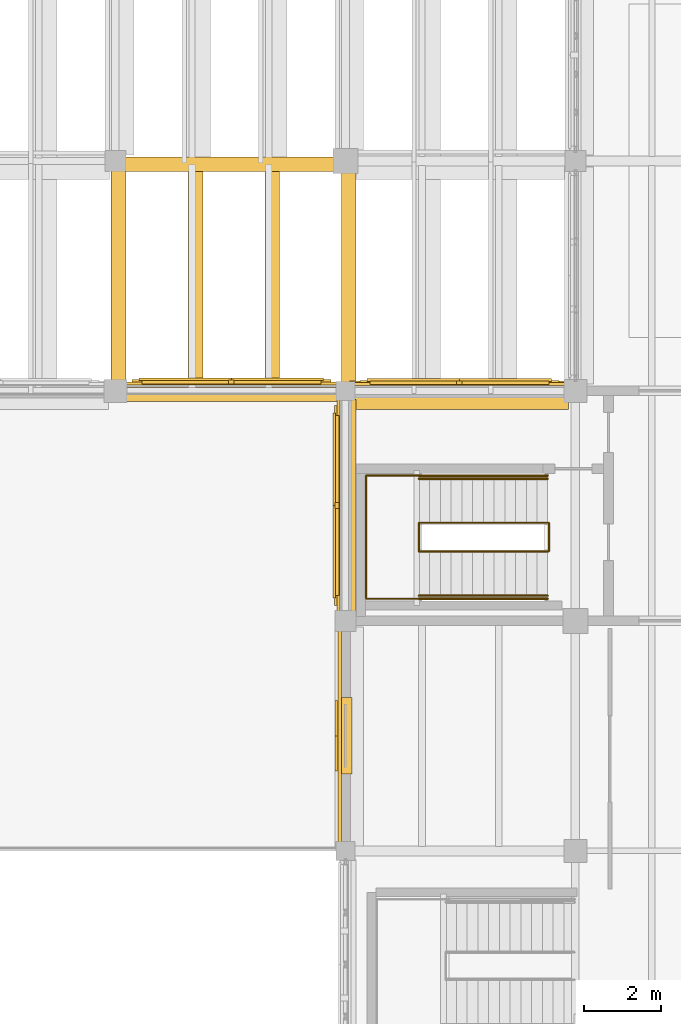
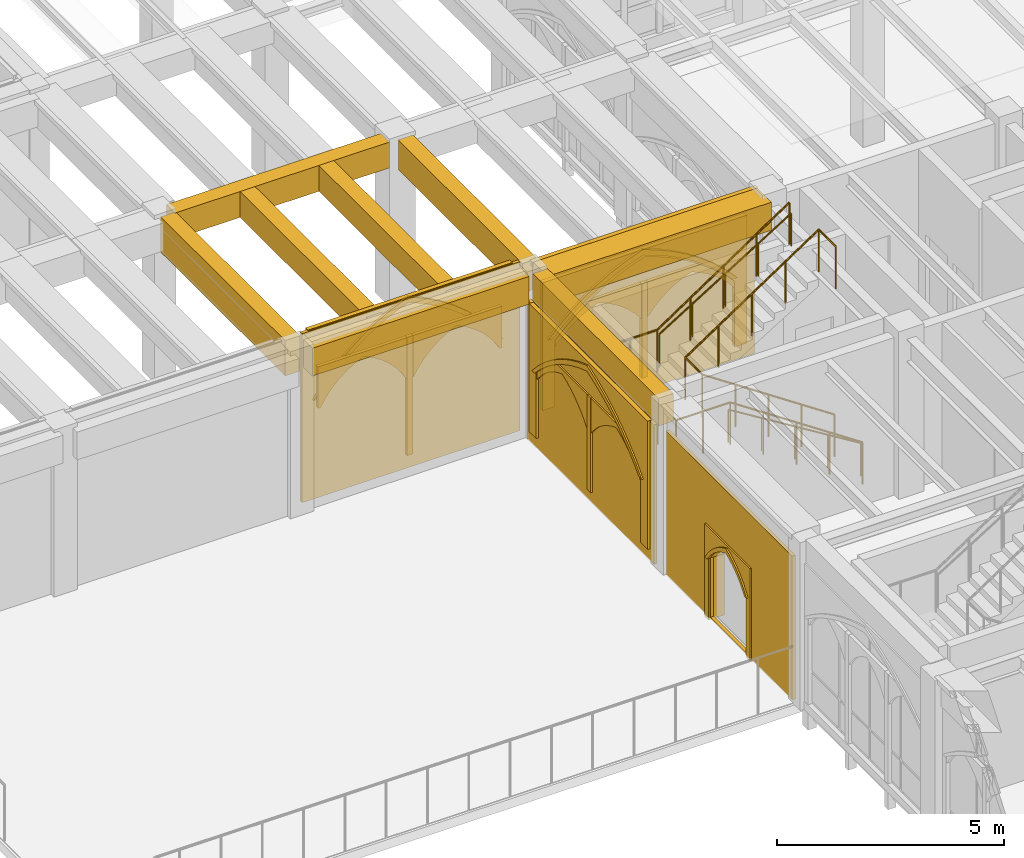
# One storey, part 102 of 127: 30 coverings, 6 railings.
"""IFC4 building model written with IfcOpenShell, lengths in metres."""

from ifc_helpers import new_model, si_unit, direction, frame, origin, origin_2d, place, context, subcontext, project, spatial, polyline, rectangle, circle, outline, extrude, material, type_object, element, save


model = new_model("IFC4")

# Units and contexts
model_context = context("Model", 3, precision=1e-05, world=origin(), true_north=direction((0.0, 1.0)))
body_context = subcontext(model_context, "Body", "Model", "MODEL_VIEW")
ifc_project = project(units=[si_unit("LENGTHUNIT", "METRE"), si_unit("AREAUNIT", "SQUARE_METRE"), si_unit("VOLUMEUNIT", "CUBIC_METRE"), si_unit("PLANEANGLEUNIT", "RADIAN"), si_unit("MASSUNIT", "GRAM", prefix="KILO")], contexts=[model_context])

# Site, building, storey
site_placement = place(None, origin())
site = spatial("IfcSite", under=ifc_project, at=site_placement, CompositionType="ELEMENT")
building_placement = place(site_placement, origin())
building = spatial("IfcBuilding", under=site, at=building_placement, Name="Cumevento Cable Car Station", CompositionType="ELEMENT")
storey_placement = place(building_placement, frame((0.0, 0.0, 4.5)))
storey = spatial("IfcBuildingStorey", under=building, at=storey_placement, Name="L02", CompositionType="ELEMENT", Elevation=4.5)

# Railings
ifc_material_1 = material(Name="Painted Galvanised Architectural Steel", Category="steel")
railing_type_1 = type_object("IfcRailingType", Name="Stair Guardrail GR-S115", PredefinedType="GUARDRAIL", material=ifc_material_1)
railing_1_placement = place(storey_placement, frame((63.280029296875, 40.81005859375, 0.0)))
element("IfcRailing", 1, at=railing_1_placement, inside=storey, type_object=railing_type_1, Name="Stair Well Inner Guardrail ST-01-L02", PredefinedType="GUARDRAIL", context=body_context, shape_type="SweptSolid", body=[
    extrude(circle(Radius=0.02392578125, at=origin_2d()), frame((0.0, 0.0, 1.1259765625), z_axis=(-0.830915400975, 0.0, 0.556398774641), x_axis=(0.0, -1.0, 0.0)), (0.0, 0.0, 1.0), 4.0439453125),
    extrude(circle(Radius=0.02392578125, at=origin_2d()), frame((-3.360107421875, 0.0, 3.3759765625), z_axis=(0.0, 1.0, 0.0), x_axis=(-1.0, 0.0, 0.0)), (0.0, 0.0, 1.0), 0.75),
    extrude(circle(Radius=0.02392578125, at=origin_2d()), frame((-3.360107421875, 0.75, 3.3759765625), z_axis=(0.833193183746, 0.0, 0.552982023722), x_axis=(0.0, 1.0, 0.0)), (0.0, 0.0, 1.0), 4.06884765625),
    extrude(circle(Radius=0.02392578125, at=origin_2d()), frame((0.030029296875, 0.75, 5.6259765625), z_axis=(0.0, -1.0, 0.0), x_axis=(1.0, 0.0, 0.0)), (0.0, 0.0, 1.0), 0.75),
    extrude(circle(Radius=0.02001953125, at=origin_2d()), origin(), (0.0, 0.0, 1.0), 1.101806640625),
    extrude(circle(Radius=0.02001953125, at=origin_2d()), frame((-0.840087890625, 0.0, 0.5625)), (0.0, 0.0, 1.0), 1.101806640625),
    extrude(circle(Radius=0.02001953125, at=origin_2d()), frame((-1.68017578125, 0.0, 1.125)), (0.0, 0.0, 1.0), 1.101806640625),
    extrude(circle(Radius=0.02001953125, at=origin_2d()), frame((-2.52001953125, 0.0, 1.6875)), (0.0, 0.0, 1.0), 1.101806640625),
    extrude(circle(Radius=0.02001953125, at=origin_2d()), frame((-3.360107421875, 0.0, 2.25)), (0.0, 0.0, 1.0), 1.101806640625),
    extrude(circle(Radius=0.02001953125, at=origin_2d()), frame((-3.360107421875, 0.75, 2.25)), (0.0, 0.0, 1.0), 1.101806640625),
    extrude(circle(Radius=0.02001953125, at=origin_2d()), frame((-2.5126953125, 0.75, 2.8125)), (0.0, 0.0, 1.0), 1.101806640625),
    extrude(circle(Radius=0.02001953125, at=origin_2d()), frame((-1.6650390625, 0.75, 3.375)), (0.0, 0.0, 1.0), 1.101806640625),
    extrude(circle(Radius=0.02001953125, at=origin_2d()), frame((-0.8173828125, 0.75, 3.9375)), (0.0, 0.0, 1.0), 1.101806640625),
    extrude(circle(Radius=0.02001953125, at=origin_2d()), frame((0.030029296875, 0.75, 4.5)), (0.0, 0.0, 1.0), 1.101806640625),
    extrude(circle(Radius=0.02001953125, at=origin_2d()), frame((0.030029296875, 0.0, 4.5)), (0.0, 0.0, 1.0), 1.101806640625),
])
railing_2_placement = place(storey_placement, frame((59.919921875, 39.580078125, 2.25)))
element("IfcRailing", 2, at=railing_2_placement, inside=storey, type_object=railing_type_1, Name="Stair Half-Landing Guardrail ST-01-L02", PredefinedType="GUARDRAIL", context=body_context, shape_type="SweptSolid", body=[
    extrude(circle(Radius=0.02392578125, at=origin_2d()), frame((0.0, 0.0, 1.1259765625), z_axis=(-1.0, 0.0, 0.0), x_axis=(0.0, -1.0, 0.0)), (0.0, 0.0, 1.0), 1.3798828125),
    extrude(circle(Radius=0.02392578125, at=origin_2d()), frame((-1.3798828125, 0.0, 1.1259765625), z_axis=(0.0, 1.0, 0.0), x_axis=(-1.0, 0.0, 0.0)), (0.0, 0.0, 1.0), 3.2099609375),
    extrude(circle(Radius=0.02392578125, at=origin_2d()), frame((-1.3798828125, 3.2099609375, 1.1259765625), z_axis=(1.0, 0.0, 0.0), x_axis=(0.0, 1.0, 0.0)), (0.0, 0.0, 1.0), 1.3798828125),
    extrude(circle(Radius=0.02001953125, at=origin_2d()), origin(), (0.0, 0.0, 1.0), 1.101806640625),
    extrude(circle(Radius=0.02001953125, at=origin_2d()), frame((-0.68994140625, 0.0, 0.0)), (0.0, 0.0, 1.0), 1.101806640625),
    extrude(circle(Radius=0.02001953125, at=origin_2d()), frame((-1.3798828125, 0.0, 0.0)), (0.0, 0.0, 1.0), 1.101806640625),
    extrude(circle(Radius=0.02001953125, at=origin_2d()), frame((-1.3798828125, 0.802490234375, 0.0)), (0.0, 0.0, 1.0), 1.101806640625),
    extrude(circle(Radius=0.02001953125, at=origin_2d()), frame((-1.3798828125, 1.60498046875, 0.0)), (0.0, 0.0, 1.0), 1.101806640625),
    extrude(circle(Radius=0.02001953125, at=origin_2d()), frame((-1.3798828125, 2.407470703125, 0.0)), (0.0, 0.0, 1.0), 1.101806640625),
    extrude(circle(Radius=0.02001953125, at=origin_2d()), frame((-1.3798828125, 3.2099609375, 0.0)), (0.0, 0.0, 1.0), 1.101806640625),
    extrude(circle(Radius=0.02001953125, at=origin_2d()), frame((-0.68994140625, 3.2099609375, 0.0)), (0.0, 0.0, 1.0), 1.101806640625),
    extrude(circle(Radius=0.02001953125, at=origin_2d()), frame((0.0, 3.2099609375, 0.0)), (0.0, 0.0, 1.0), 1.101806640625),
])
railing_3_placement = place(storey_placement, frame((63.280029296875, 39.580078125, 0.0)))
element("IfcRailing", 3, at=railing_3_placement, inside=storey, type_object=railing_type_1, Name="Stair Outer Guardrail ST-01-L02 F1", PredefinedType="GUARDRAIL", context=body_context, shape_type="SweptSolid", body=[
    extrude(circle(Radius=0.02392578125, at=origin_2d()), frame((0.0, 0.0, 1.1259765625), z_axis=(-0.830915400975, 0.0, 0.556398774641), x_axis=(0.0, -1.0, 0.0)), (0.0, 0.0, 1.0), 4.0439453125),
    extrude(circle(Radius=0.02001953125, at=origin_2d()), origin(), (0.0, 0.0, 1.0), 1.101806640625),
    extrude(circle(Radius=0.02001953125, at=origin_2d()), frame((-0.840087890625, 0.0, 0.5625)), (0.0, 0.0, 1.0), 1.101806640625),
    extrude(circle(Radius=0.02001953125, at=origin_2d()), frame((-1.68017578125, 0.0, 1.125)), (0.0, 0.0, 1.0), 1.101806640625),
    extrude(circle(Radius=0.02001953125, at=origin_2d()), frame((-2.52001953125, 0.0, 1.6875)), (0.0, 0.0, 1.0), 1.101806640625),
    extrude(circle(Radius=0.02001953125, at=origin_2d()), frame((-3.360107421875, 0.0, 2.25)), (0.0, 0.0, 1.0), 1.101806640625),
])
railing_4_placement = place(storey_placement, frame((59.919921875, 42.7900390625, 2.25)))
element("IfcRailing", 4, at=railing_4_placement, inside=storey, type_object=railing_type_1, Name="Stair Outer Guardrail ST-01-L02 F2", PredefinedType="GUARDRAIL", context=body_context, shape_type="SweptSolid", body=[
    extrude(circle(Radius=0.02392578125, at=origin_2d()), frame((0.0, 0.0, 1.1259765625), z_axis=(0.830915400975, 0.0, 0.556398774641), x_axis=(0.0, 1.0, 0.0)), (0.0, 0.0, 1.0), 4.0439453125),
    extrude(circle(Radius=0.02001953125, at=origin_2d()), origin(), (0.0, 0.0, 1.0), 1.101806640625),
    extrude(circle(Radius=0.02001953125, at=origin_2d()), frame((0.840087890625, 0.0, 0.5625)), (0.0, 0.0, 1.0), 1.101806640625),
    extrude(circle(Radius=0.02001953125, at=origin_2d()), frame((1.68017578125, 0.0, 1.125)), (0.0, 0.0, 1.0), 1.101806640625),
    extrude(circle(Radius=0.02001953125, at=origin_2d()), frame((2.52001953125, 0.0, 1.6875)), (0.0, 0.0, 1.0), 1.101806640625),
    extrude(circle(Radius=0.02001953125, at=origin_2d()), frame((3.360107421875, 0.0, 2.25)), (0.0, 0.0, 1.0), 1.101806640625),
])
ifc_material_2 = material(Name="Brushed Stainless Steel Handrail Tube", Category="steel")
railing_type_2 = type_object("IfcRailingType", Name="Stair Handrail HR-090", PredefinedType="HANDRAIL", material=ifc_material_2)
railing_5_placement = place(storey_placement, frame((63.280029296875, 39.659912109375, 0.17626953125)))
element("IfcRailing", 5, at=railing_5_placement, inside=storey, type_object=railing_type_2, Name="Stair Pitch Handrail ST-01-L02 F1", PredefinedType="HANDRAIL", context=body_context, shape_type="SweptSolid", body=[
    extrude(circle(Radius=0.02099609375, at=origin_2d()), frame((0.0, 0.0, 0.87890625), z_axis=(-0.850623216509, 0.0, 0.525775754039), x_axis=(0.0, -1.0, 0.0)), (0.0, 0.0, 1.0), 3.9501953125),
    extrude(circle(Radius=0.01611328125, at=origin_2d()), origin(), (0.0, 0.0, 1.0), 0.85791015625),
    extrude(circle(Radius=0.01611328125, at=origin_2d()), frame((-0.840087890625, 0.0, 0.519287109375)), (0.0, 0.0, 1.0), 0.85791015625),
    extrude(circle(Radius=0.01611328125, at=origin_2d()), frame((-1.68017578125, 0.0, 1.03857421875)), (0.0, 0.0, 1.0), 0.85791015625),
    extrude(circle(Radius=0.01611328125, at=origin_2d()), frame((-2.52001953125, 0.0, 1.5576171875)), (0.0, 0.0, 1.0), 0.85791015625),
    extrude(circle(Radius=0.01611328125, at=origin_2d()), frame((-3.360107421875, 0.0, 2.076904296875)), (0.0, 0.0, 1.0), 0.85791015625),
])
railing_6_placement = place(storey_placement, frame((59.919921875, 42.7099609375, 2.42626953125)))
element("IfcRailing", 6, at=railing_6_placement, inside=storey, type_object=railing_type_2, Name="Stair Pitch Handrail ST-01-L02 F2", PredefinedType="HANDRAIL", context=body_context, shape_type="SweptSolid", body=[
    extrude(circle(Radius=0.02099609375, at=origin_2d()), frame((0.0, 0.0, 0.87890625), z_axis=(0.850623216509, 0.0, 0.525775754039), x_axis=(0.0, 1.0, 0.0)), (0.0, 0.0, 1.0), 3.9501953125),
    extrude(circle(Radius=0.01611328125, at=origin_2d()), origin(), (0.0, 0.0, 1.0), 0.85791015625),
    extrude(circle(Radius=0.01611328125, at=origin_2d()), frame((0.840087890625, 0.0, 0.519287109375)), (0.0, 0.0, 1.0), 0.85791015625),
    extrude(circle(Radius=0.01611328125, at=origin_2d()), frame((1.68017578125, 0.0, 1.03857421875)), (0.0, 0.0, 1.0), 0.85791015625),
    extrude(circle(Radius=0.01611328125, at=origin_2d()), frame((2.52001953125, 0.0, 1.5576171875)), (0.0, 0.0, 1.0), 0.85791015625),
    extrude(circle(Radius=0.01611328125, at=origin_2d()), frame((3.360107421875, 0.0, 2.076904296875)), (0.0, 0.0, 1.0), 0.85791015625),
])

# Coverings
ifc_material_3 = material(Name="Gnaisse Facoidal Stone Ashlar 85 MPa", Category="masonry")
covering_type = type_object("IfcCoveringType", Name="Gnaisse Ashlar Cladding CV-CL01", PredefinedType="CLADDING", material=ifc_material_3)
covering_1_placement = place(storey_placement, frame((60.97509765625, 44.85009765625, 3.636962890625), z_axis=(0.0, 0.0, 1.0), x_axis=(1.0, 0.0, 0.0)))
element("IfcCovering", 7, at=covering_1_placement, inside=storey, type_object=covering_type, Name="Gothic Stone Spandrel Stringcourse sc:0328", PredefinedType="CLADDING", context=body_context, shape_type="SweptSolid", body=[
    extrude(rectangle(XDim=5.68994140625, YDim=0.659912109375, at=origin_2d()), origin(), (0.0, 0.0, 1.0), 0.7529296875),
])
covering_2_placement = place(storey_placement, frame((60.97509765625, 45.20751953125, 4.260009765625), z_axis=(0.0, 0.0, 1.0), x_axis=(1.0, 0.0, 0.0)))
element("IfcCovering", 8, at=covering_2_placement, inside=storey, type_object=covering_type, Name="Gothic Cornice Dripstone Lip sc:0328", PredefinedType="CLADDING", context=body_context, shape_type="SweptSolid", body=[
    extrude(rectangle(XDim=5.72998046875, YDim=0.114990234375, at=origin_2d()), origin(), (0.0, 0.0, 1.0), 0.1298828125),
])
covering_3_placement = place(storey_placement, frame((58.090087890625, 42.012451171875, 3.64306640625), z_axis=(0.0, 0.0, 1.0), x_axis=(0.0, 1.0, 0.0)))
element("IfcCovering", 9, at=covering_3_placement, inside=storey, type_object=covering_type, Name="Gothic Stone Spandrel Stringcourse sc:0329", PredefinedType="CLADDING", context=body_context, shape_type="SweptSolid", body=[
    extrude(rectangle(XDim=5.534912109375, YDim=0.3798828125, at=origin_2d()), origin(), (0.0, 0.0, 1.0), 0.7470703125),
])
covering_4_placement = place(storey_placement, frame((52.090087890625, 48.012451171875, 3.44189453125), z_axis=(0.0, 0.0, 1.0), x_axis=(0.0, 1.0, 0.0)))
element("IfcCovering", 10, at=covering_4_placement, inside=storey, type_object=covering_type, Name="Gothic Stone Spandrel Stringcourse sc:0375", PredefinedType="CLADDING", context=body_context, shape_type="SweptSolid", body=[
    extrude(rectangle(XDim=5.485107421875, YDim=0.3798828125, at=origin_2d()), origin(), (0.0, 0.0, 1.0), 0.947998046875),
])
covering_5_placement = place(storey_placement, frame((55.02490234375, 44.909912109375, 3.64306640625), z_axis=(0.0, 0.0, 1.0), x_axis=(1.0, 0.0, 0.0)))
element("IfcCovering", 11, at=covering_5_placement, inside=storey, type_object=covering_type, Name="Gothic Stone Spandrel Stringcourse sc:0383", PredefinedType="CLADDING", context=body_context, shape_type="SweptSolid", body=[
    extrude(rectangle(XDim=5.510009765625, YDim=0.3798828125, at=origin_2d()), origin(), (0.0, 0.0, 1.0), 0.7470703125),
])
covering_6_placement = place(storey_placement, frame((54.97509765625, 50.909912109375, 3.69580078125), z_axis=(0.0, 0.0, 1.0), x_axis=(1.0, 0.0, 0.0)))
element("IfcCovering", 12, at=covering_6_placement, inside=storey, type_object=covering_type, Name="Gothic Stone Spandrel Stringcourse sc:0384", PredefinedType="CLADDING", context=body_context, shape_type="SweptSolid", body=[
    extrude(rectangle(XDim=5.4599609375, YDim=0.3798828125, at=origin_2d()), origin(), (0.0, 0.0, 1.0), 0.694091796875),
])
covering_7_placement = place(storey_placement, frame((58.090087890625, 47.96240234375, 3.5927734375), z_axis=(0.0, 0.0, 1.0), x_axis=(0.0, 1.0, 0.0)))
element("IfcCovering", 13, at=covering_7_placement, inside=storey, type_object=covering_type, Name="Gothic Stone Spandrel Stringcourse sc:0388", PredefinedType="CLADDING", context=body_context, shape_type="SweptSolid", body=[
    extrude(rectangle(XDim=5.485107421875, YDim=0.3798828125, at=origin_2d()), origin(), (0.0, 0.0, 1.0), 0.797119140625),
])
for number, where, z_axis, x_axis, name in (
    (14, (54.090087890625, 47.9931640625, 3.69482421875), (0.0, 0.0, 1.0), (0.0, 1.0, 0.0), "Gothic Stone Spandrel Stringcourse sc:0512"),
    (15, (56.090087890625, 47.9931640625, 3.69482421875), (0.0, 0.0, 1.0), (0.0, 1.0, 0.0), "Gothic Stone Spandrel Stringcourse sc:0514"),
):
    element("IfcCovering", number, at=place(storey_placement, frame(where, z_axis=z_axis, x_axis=x_axis)), inside=storey, type_object=covering_type, Name=name, PredefinedType="CLADDING", context=body_context, shape_type="SweptSolid", body=[
        extrude(rectangle(XDim=5.892578125, YDim=0.3798828125, at=origin_2d()), origin(), (0.0, 0.0, 1.0), 0.695068359375),
    ])
covering_8_placement = place(storey_placement, frame((52.300048828125, 45.0, 0.0), z_axis=(0.0, 0.0, 1.0), x_axis=(1.0, 0.0, 0.0)))
element("IfcCovering", 16, at=covering_8_placement, inside=storey, type_object=covering_type, Name="Exterior Gnaisse Stone Wall Ashlar #32", PredefinedType="CLADDING", context=body_context, shape_type="SweptSolid", body=[
    extrude(outline(polyline([(-0.0400390625, -0.02001953125), (5.489990234375, -0.02001953125), (5.489990234375, 4.52001953125), (-0.0400390625, 4.52001953125), (-0.0400390625, -0.02001953125)])), frame((0.0, 0.237548828125, 0.0), z_axis=(0.0, -1.0, 0.0), x_axis=(1.0, 0.0, 0.0)), (0.0, 0.0, 1.0), 0.0849609375),
])
placement_1 = place(storey_placement, frame((52.47998046875, 45.0, 0.300048828125), z_axis=(0.0, 0.0, 1.0), x_axis=(1.0, 0.0, 0.0)))
element("IfcCovering", 17, at=placement_1, inside=storey, type_object=covering_type, Name="Gothic Ogival Pointed-Arch Stone Spandrel blind_ogival:0032", PredefinedType="CLADDING", context=body_context, shape_type="SweptSolid", body=[
    extrude(outline(polyline([(-0.050048828125, 0.0), (-0.050048828125, 4.239990234375), (5.139892578125, 4.239990234375), (5.139892578125, 0.0), (4.830078125, 0.0), (4.830078125, 2.219970703125), (4.577880859375, 2.558349609375), (4.297119140625, 2.873291015625), (3.98974609375, 3.16259765625), (3.658203125, 3.423583984375), (3.30517578125, 3.65478515625), (2.93310546875, 3.85400390625), (2.544921875, 4.02001953125), (2.156982421875, 3.85400390625), (1.784912109375, 3.65478515625), (1.431884765625, 3.423583984375), (1.100341796875, 3.16259765625), (0.79296875, 2.873291015625), (0.51220703125, 2.558349609375), (0.260009765625, 2.219970703125), (0.260009765625, 0.0), (-0.050048828125, 0.0)])), frame((0.0, 0.29248046875, 0.0), z_axis=(0.0, -1.0, 0.0), x_axis=(1.0, 0.0, 0.0)), (0.0, 0.0, 1.0), 0.110107421875),
])
covering_10_placement = place(storey_placement, frame((52.47998046875, 45.0, 2.52001953125), z_axis=(0.0, 0.0, 1.0), x_axis=(1.0, 0.0, 0.0)))
element("IfcCovering", 18, at=covering_10_placement, inside=storey, type_object=covering_type, Name="Gothic Pointed Archivolt Hood Moulding blind_ogival:0032", PredefinedType="CLADDING", context=body_context, shape_type="SweptSolid", body=[
    extrude(outline(polyline([(0.260009765625, 0.0), (0.51220703125, 0.33837890625), (0.79296875, 0.6533203125), (1.100341796875, 0.942626953125), (1.431884765625, 1.20361328125), (1.784912109375, 1.434814453125), (2.156982421875, 1.634033203125), (2.544921875, 1.800048828125), (2.93310546875, 1.634033203125), (3.30517578125, 1.434814453125), (3.658203125, 1.20361328125), (3.98974609375, 0.942626953125), (4.297119140625, 0.6533203125), (4.577880859375, 0.33837890625), (4.830078125, 0.0), (4.950927734375, 0.0), (4.689453125, 0.36572265625), (4.396240234375, 0.706787109375), (4.07373046875, 1.020263671875), (3.724365234375, 1.303466796875), (3.351318359375, 1.554443359375), (2.95703125, 1.770751953125), (2.544921875, 1.951171875), (2.133056640625, 1.770751953125), (1.73876953125, 1.554443359375), (1.36572265625, 1.303466796875), (1.016357421875, 1.020263671875), (0.69384765625, 0.706787109375), (0.400634765625, 0.36572265625), (0.138916015625, 0.0), (0.260009765625, 0.0)])), frame((0.0, 0.33447265625, 0.0), z_axis=(0.0, -1.0, 0.0), x_axis=(1.0, 0.0, 0.0)), (0.0, 0.0, 1.0), 0.06689453125),
])
element("IfcCovering", 19, at=placement_1, inside=storey, type_object=covering_type, Name="Gothic Bifora Stone Colonnette blind_ogival:0032 #1", PredefinedType="CLADDING", context=body_context, shape_type="SweptSolid", body=[
    extrude(outline(polyline([(2.469970703125, -0.02001953125), (2.6201171875, -0.02001953125), (2.6201171875, 3.156005859375), (2.469970703125, 3.156005859375), (2.469970703125, -0.02001953125)])), frame((0.0, 0.280517578125, 0.0), z_axis=(0.0, -1.0, 0.0), x_axis=(1.0, 0.0, 0.0)), (0.0, 0.0, 1.0), 0.094970703125),
])
for number, where, z_axis, x_axis, name in (
    (20, (52.7099609375, 45.0, 2.340087890625), (0.0, 0.0, 1.0), (1.0, 0.0, 0.0), "Gothic Ogival Pointed-Arch Stone Spandrel blind_ogival:0032:sub:0"),
    (21, (55.070068359375, 45.0, 2.340087890625), (0.0, 0.0, 1.0), (1.0, 0.0, 0.0), "Gothic Ogival Pointed-Arch Stone Spandrel blind_ogival:0032:sub:1"),
):
    element("IfcCovering", number, at=place(storey_placement, frame(where, z_axis=z_axis, x_axis=x_axis)), inside=storey, type_object=covering_type, Name=name, PredefinedType="CLADDING", context=body_context, shape_type="SweptSolid", body=[
        extrude(outline(polyline([(-0.02001953125, 0.0), (-0.02001953125, 1.115966796875), (2.2900390625, 1.115966796875), (2.2900390625, 0.0), (2.22998046875, 0.0), (2.0986328125, 0.21435546875), (1.944091796875, 0.412353515625), (1.767822265625, 0.591796875), (1.57275390625, 0.750244140625), (1.36083984375, 0.885498046875), (1.135009765625, 0.99609375), (0.9091796875, 0.885498046875), (0.697265625, 0.750244140625), (0.502197265625, 0.591796875), (0.325927734375, 0.412353515625), (0.17138671875, 0.21435546875), (0.0400390625, 0.0), (-0.02001953125, 0.0)])), frame((0.0, 0.276611328125, 0.0), z_axis=(0.0, -1.0, 0.0), x_axis=(1.0, 0.0, 0.0)), (0.0, 0.0, 1.0), 0.090087890625),
    ])
covering_12_placement = place(storey_placement, frame((58.0, 33.25, 0.0), z_axis=(0.0, 0.0, 1.0), x_axis=(0.0, 1.0, 0.0)))
element("IfcCovering", 22, at=covering_12_placement, inside=storey, type_object=covering_type, Name="Exterior Gnaisse Stone Wall Ashlar #185", PredefinedType="CLADDING", context=body_context, shape_type="SweptSolid", body=[
    extrude(outline(polyline([(-0.0400390625, -0.02001953125), (5.514892578125, -0.02001953125), (5.514892578125, 3.841064453125), (-0.0400390625, 3.841064453125), (-0.0400390625, -0.02001953125)]), holes=[polyline([(1.93994140625, 0.02001953125), (3.56005859375, 0.02001953125), (3.56005859375, 2.2099609375), (1.93994140625, 2.2099609375), (1.93994140625, 0.02001953125)])]), frame((0.0, 0.18505859375, 0.0), z_axis=(0.0, -1.0, 0.0), x_axis=(1.0, 0.0, 0.0)), (0.0, 0.0, 1.0), 0.0849609375),
])
covering_13_placement = place(storey_placement, frame((58.0, 35.0400390625, -0.050048828125), z_axis=(0.0, 0.0, 1.0), x_axis=(0.0, 1.0, 0.0)))
element("IfcCovering", 23, at=covering_13_placement, inside=storey, type_object=covering_type, Name="Gothic Ogival Pointed-Arch Stone Spandrel op_ogival:0185:1", PredefinedType="CLADDING", context=body_context, shape_type="SweptSolid", body=[
    extrude(outline(polyline([(-0.0400390625, 0.0), (-0.0400390625, 2.489990234375), (1.9599609375, 2.489990234375), (1.9599609375, 0.0), (1.780029296875, 0.0), (1.780029296875, 1.6484375), (1.6904296875, 1.7724609375), (1.59033203125, 1.88818359375), (1.48046875, 1.994384765625), (1.361328125, 2.090576171875), (1.234375, 2.175537109375), (1.10009765625, 2.2490234375), (0.9599609375, 2.31005859375), (0.81982421875, 2.2490234375), (0.685546875, 2.175537109375), (0.55859375, 2.090576171875), (0.439453125, 1.994384765625), (0.32958984375, 1.88818359375), (0.2294921875, 1.7724609375), (0.139892578125, 1.6484375), (0.139892578125, 0.0), (-0.0400390625, 0.0)])), frame((0.0, 0.222900390625, 0.0), z_axis=(0.0, -1.0, 0.0), x_axis=(1.0, 0.0, 0.0)), (0.0, 0.0, 1.0), 0.39990234375),
])
covering_14_placement = place(storey_placement, frame((58.0, 35.0400390625, 1.598388671875), z_axis=(0.0, 0.0, 1.0), x_axis=(0.0, 1.0, 0.0)))
element("IfcCovering", 24, at=covering_14_placement, inside=storey, type_object=covering_type, Name="Gothic Pointed Archivolt Hood Moulding op_ogival:0185:1", PredefinedType="CLADDING", context=body_context, shape_type="SweptSolid", body=[
    extrude(outline(polyline([(0.139892578125, 0.0), (0.2294921875, 0.1240234375), (0.32958984375, 0.23974609375), (0.439453125, 0.345947265625), (0.55859375, 0.442138671875), (0.685546875, 0.527099609375), (0.81982421875, 0.6005859375), (0.9599609375, 0.66162109375), (1.10009765625, 0.6005859375), (1.234375, 0.527099609375), (1.361328125, 0.442138671875), (1.48046875, 0.345947265625), (1.59033203125, 0.23974609375), (1.6904296875, 0.1240234375), (1.780029296875, 0.0), (1.87890625, 0.0), (1.781982421875, 0.146484375), (1.671630859375, 0.283447265625), (1.54931640625, 0.409423828125), (1.415771484375, 0.523681640625), (1.272216796875, 0.624755859375), (1.119873046875, 0.71240234375), (0.9599609375, 0.785400390625), (0.800048828125, 0.71240234375), (0.647705078125, 0.624755859375), (0.504150390625, 0.523681640625), (0.37060546875, 0.409423828125), (0.248291015625, 0.283447265625), (0.137939453125, 0.146484375), (0.041015625, 0.0), (0.139892578125, 0.0)])), frame((0.0, 0.264892578125, 0.0), z_axis=(0.0, -1.0, 0.0), x_axis=(1.0, 0.0, 0.0)), (0.0, 0.0, 1.0), 0.06689453125),
])
covering_15_placement = place(storey_placement, frame((58.25, 45.0, 0.0), z_axis=(0.0, 0.0, 1.0), x_axis=(1.0, 0.0, 0.0)))
element("IfcCovering", 25, at=covering_15_placement, inside=storey, type_object=covering_type, Name="Exterior Gnaisse Stone Wall Ashlar #186", PredefinedType="CLADDING", context=body_context, shape_type="SweptSolid", body=[
    extrude(outline(polyline([(-0.0400390625, -0.02001953125), (5.489990234375, -0.02001953125), (5.489990234375, 3.717041015625), (-0.0400390625, 3.717041015625), (-0.0400390625, -0.02001953125)])), frame((0.0, 0.222412109375, 0.0), z_axis=(0.0, -1.0, 0.0), x_axis=(1.0, 0.0, 0.0)), (0.0, 0.0, 1.0), 0.0849609375),
])
placement_2 = place(storey_placement, frame((58.429931640625, 45.0, 0.300048828125), z_axis=(0.0, 0.0, 1.0), x_axis=(1.0, 0.0, 0.0)))
element("IfcCovering", 26, at=placement_2, inside=storey, type_object=covering_type, Name="Gothic Ogival Pointed-Arch Stone Spandrel blind_ogival:0186", PredefinedType="CLADDING", context=body_context, shape_type="SweptSolid", body=[
    extrude(outline(polyline([(-0.050048828125, 0.0), (-0.050048828125, 3.43701171875), (5.139892578125, 3.43701171875), (5.139892578125, 0.0), (4.830078125, 0.0), (4.830078125, 1.770263671875), (4.55419921875, 2.046875), (4.2587890625, 2.302490234375), (3.945068359375, 2.53515625), (3.614990234375, 2.744140625), (3.2705078125, 2.92822265625), (2.9130859375, 3.0859375), (2.544921875, 3.217041015625), (2.177001953125, 3.0859375), (1.819580078125, 2.92822265625), (1.47509765625, 2.744140625), (1.14501953125, 2.53515625), (0.831298828125, 2.302490234375), (0.535888671875, 2.046875), (0.260009765625, 1.770263671875), (0.260009765625, 0.0), (-0.050048828125, 0.0)])), frame((0.0, 0.277587890625, 0.0), z_axis=(0.0, -1.0, 0.0), x_axis=(1.0, 0.0, 0.0)), (0.0, 0.0, 1.0), 0.110107421875),
])
covering_17_placement = place(storey_placement, frame((58.429931640625, 45.0, 2.0703125), z_axis=(0.0, 0.0, 1.0), x_axis=(1.0, 0.0, 0.0)))
element("IfcCovering", 27, at=covering_17_placement, inside=storey, type_object=covering_type, Name="Gothic Pointed Archivolt Hood Moulding blind_ogival:0186", PredefinedType="CLADDING", context=body_context, shape_type="SweptSolid", body=[
    extrude(outline(polyline([(0.260009765625, 0.0), (0.535888671875, 0.276611328125), (0.831298828125, 0.5322265625), (1.14501953125, 0.764892578125), (1.47509765625, 0.973876953125), (1.819580078125, 1.157958984375), (2.177001953125, 1.315673828125), (2.544921875, 1.44677734375), (2.9130859375, 1.315673828125), (3.2705078125, 1.157958984375), (3.614990234375, 0.973876953125), (3.945068359375, 0.764892578125), (4.2587890625, 0.5322265625), (4.55419921875, 0.276611328125), (4.830078125, 0.0), (4.950927734375, 0.0), (4.66552734375, 0.304443359375), (4.357177734375, 0.586181640625), (4.028076171875, 0.84326171875), (3.680419921875, 1.07421875), (3.315673828125, 1.27783203125), (2.9365234375, 1.452880859375), (2.544921875, 1.597900390625), (2.153564453125, 1.452880859375), (1.7744140625, 1.27783203125), (1.40966796875, 1.07421875), (1.06201171875, 0.84326171875), (0.73291015625, 0.586181640625), (0.424560546875, 0.304443359375), (0.138916015625, 0.0), (0.260009765625, 0.0)])), frame((0.0, 0.319580078125, 0.0), z_axis=(0.0, -1.0, 0.0), x_axis=(1.0, 0.0, 0.0)), (0.0, 0.0, 1.0), 0.06689453125),
])
element("IfcCovering", 28, at=placement_2, inside=storey, type_object=covering_type, Name="Gothic Bifora Stone Colonnette blind_ogival:0186 #1", PredefinedType="CLADDING", context=body_context, shape_type="SweptSolid", body=[
    extrude(outline(polyline([(2.469970703125, -0.02001953125), (2.6201171875, -0.02001953125), (2.6201171875, 2.522705078125), (2.469970703125, 2.522705078125), (2.469970703125, -0.02001953125)])), frame((0.0, 0.265380859375, 0.0), z_axis=(0.0, -1.0, 0.0), x_axis=(1.0, 0.0, 0.0)), (0.0, 0.0, 1.0), 0.094970703125),
])
for number, where, z_axis, x_axis, name in (
    (29, (58.659912109375, 45.0, 1.890380859375), (0.0, 0.0, 1.0), (1.0, 0.0, 0.0), "Gothic Ogival Pointed-Arch Stone Spandrel blind_ogival:0186:sub:0"),
    (30, (61.02001953125, 45.0, 1.890380859375), (0.0, 0.0, 1.0), (1.0, 0.0, 0.0), "Gothic Ogival Pointed-Arch Stone Spandrel blind_ogival:0186:sub:1"),
):
    element("IfcCovering", number, at=place(storey_placement, frame(where, z_axis=z_axis, x_axis=x_axis)), inside=storey, type_object=covering_type, Name=name, PredefinedType="CLADDING", context=body_context, shape_type="SweptSolid", body=[
        extrude(outline(polyline([(-0.02001953125, 0.0), (-0.02001953125, 0.932373046875), (2.2900390625, 0.932373046875), (2.2900390625, 0.0), (2.22998046875, 0.0), (2.083740234375, 0.177978515625), (1.920654296875, 0.3408203125), (1.74267578125, 0.487060546875), (1.551025390625, 0.615234375), (1.347900390625, 0.723876953125), (1.135009765625, 0.812255859375), (0.922119140625, 0.723876953125), (0.718994140625, 0.615234375), (0.52734375, 0.487060546875), (0.349365234375, 0.3408203125), (0.186279296875, 0.177978515625), (0.0400390625, 0.0), (-0.02001953125, 0.0)])), frame((0.0, 0.261474609375, 0.0), z_axis=(0.0, -1.0, 0.0), x_axis=(1.0, 0.0, 0.0)), (0.0, 0.0, 1.0), 0.090087890625),
    ])
covering_19_placement = place(storey_placement, frame((58.0, 39.27490234375, 0.0), z_axis=(0.0, 0.0, 1.0), x_axis=(0.0, 1.0, 0.0)))
element("IfcCovering", 31, at=covering_19_placement, inside=storey, type_object=covering_type, Name="Exterior Gnaisse Stone Wall Ashlar #187", PredefinedType="CLADDING", context=body_context, shape_type="SweptSolid", body=[
    extrude(outline(polyline([(-0.0400390625, -0.02001953125), (5.514892578125, -0.02001953125), (5.514892578125, 3.722900390625), (-0.0400390625, 3.722900390625), (-0.0400390625, -0.02001953125)])), frame((0.0, 0.222412109375, 0.0), z_axis=(0.0, -1.0, 0.0), x_axis=(1.0, 0.0, 0.0)), (0.0, 0.0, 1.0), 0.0849609375),
])
placement_3 = place(storey_placement, frame((58.0, 39.455078125, 0.300048828125), z_axis=(0.0, 0.0, 1.0), x_axis=(0.0, 1.0, 0.0)))
element("IfcCovering", 32, at=placement_3, inside=storey, type_object=covering_type, Name="Gothic Ogival Pointed-Arch Stone Spandrel blind_ogival:0187", PredefinedType="CLADDING", context=body_context, shape_type="SweptSolid", body=[
    extrude(outline(polyline([(-0.050048828125, 0.0), (-0.050048828125, 3.443115234375), (5.1650390625, 3.443115234375), (5.1650390625, 0.0), (4.85498046875, 0.0), (4.85498046875, 1.773681640625), (4.577392578125, 2.051025390625), (4.280029296875, 2.306884765625), (3.964599609375, 2.5400390625), (3.6328125, 2.74951171875), (3.286376953125, 2.93359375), (2.92724609375, 3.091796875), (2.5576171875, 3.222900390625), (2.187744140625, 3.091796875), (1.82861328125, 2.93359375), (1.482177734375, 2.74951171875), (1.150390625, 2.5400390625), (0.8349609375, 2.306884765625), (0.53759765625, 2.051025390625), (0.260009765625, 1.773681640625), (0.260009765625, 0.0), (-0.050048828125, 0.0)])), frame((0.0, 0.277587890625, 0.0), z_axis=(0.0, -1.0, 0.0), x_axis=(1.0, 0.0, 0.0)), (0.0, 0.0, 1.0), 0.110107421875),
])
covering_21_placement = place(storey_placement, frame((58.0, 39.455078125, 2.07373046875), z_axis=(0.0, 0.0, 1.0), x_axis=(0.0, 1.0, 0.0)))
element("IfcCovering", 33, at=covering_21_placement, inside=storey, type_object=covering_type, Name="Gothic Pointed Archivolt Hood Moulding blind_ogival:0187", PredefinedType="CLADDING", context=body_context, shape_type="SweptSolid", body=[
    extrude(outline(polyline([(0.260009765625, 0.0), (0.53759765625, 0.27734375), (0.8349609375, 0.533203125), (1.150390625, 0.766357421875), (1.482177734375, 0.975830078125), (1.82861328125, 1.159912109375), (2.187744140625, 1.318115234375), (2.5576171875, 1.44921875), (2.92724609375, 1.318115234375), (3.286376953125, 1.159912109375), (3.6328125, 0.975830078125), (3.964599609375, 0.766357421875), (4.280029296875, 0.533203125), (4.577392578125, 0.27734375), (4.85498046875, 0.0), (4.97607421875, 0.0), (4.6884765625, 0.30517578125), (4.37841796875, 0.58740234375), (4.047607421875, 0.8447265625), (3.697998046875, 1.076171875), (3.33154296875, 1.280029296875), (2.95068359375, 1.455078125), (2.5576171875, 1.6005859375), (2.164306640625, 1.455078125), (1.783447265625, 1.280029296875), (1.4169921875, 1.076171875), (1.0673828125, 0.8447265625), (0.736572265625, 0.58740234375), (0.426513671875, 0.30517578125), (0.138916015625, 0.0), (0.260009765625, 0.0)])), frame((0.0, 0.319580078125, 0.0), z_axis=(0.0, -1.0, 0.0), x_axis=(1.0, 0.0, 0.0)), (0.0, 0.0, 1.0), 0.06689453125),
])
element("IfcCovering", 34, at=placement_3, inside=storey, type_object=covering_type, Name="Gothic Bifora Stone Colonnette blind_ogival:0187 #1", PredefinedType="CLADDING", context=body_context, shape_type="SweptSolid", body=[
    extrude(outline(polyline([(2.482421875, -0.02001953125), (2.632568359375, -0.02001953125), (2.632568359375, 2.52734375), (2.482421875, 2.52734375), (2.482421875, -0.02001953125)])), frame((0.0, 0.265380859375, 0.0), z_axis=(0.0, -1.0, 0.0), x_axis=(1.0, 0.0, 0.0)), (0.0, 0.0, 1.0), 0.094970703125),
])
for number, where, z_axis, x_axis, name in (
    (35, (58.0, 39.68505859375, 1.893798828125), (0.0, 0.0, 1.0), (0.0, 1.0, 0.0), "Gothic Ogival Pointed-Arch Stone Spandrel blind_ogival:0187:sub:0"),
    (36, (58.0, 42.0576171875, 1.893798828125), (0.0, 0.0, 1.0), (0.0, 1.0, 0.0), "Gothic Ogival Pointed-Arch Stone Spandrel blind_ogival:0187:sub:1"),
):
    element("IfcCovering", number, at=place(storey_placement, frame(where, z_axis=z_axis, x_axis=x_axis)), inside=storey, type_object=covering_type, Name=name, PredefinedType="CLADDING", context=body_context, shape_type="SweptSolid", body=[
        extrude(outline(polyline([(-0.02001953125, 0.0), (-0.02001953125, 0.93359375), (2.302490234375, 0.93359375), (2.302490234375, 0.0), (2.242431640625, 0.0), (2.094970703125, 0.178466796875), (1.930908203125, 0.341552734375), (1.751708984375, 0.488037109375), (1.559326171875, 0.6162109375), (1.35498046875, 0.72509765625), (1.141357421875, 0.813720703125), (0.927490234375, 0.72509765625), (0.72314453125, 0.6162109375), (0.53076171875, 0.488037109375), (0.3515625, 0.341552734375), (0.1875, 0.178466796875), (0.0400390625, 0.0), (-0.02001953125, 0.0)])), frame((0.0, 0.261474609375, 0.0), z_axis=(0.0, -1.0, 0.0), x_axis=(1.0, 0.0, 0.0)), (0.0, 0.0, 1.0), 0.090087890625),
    ])

save(model, "model.ifc")
